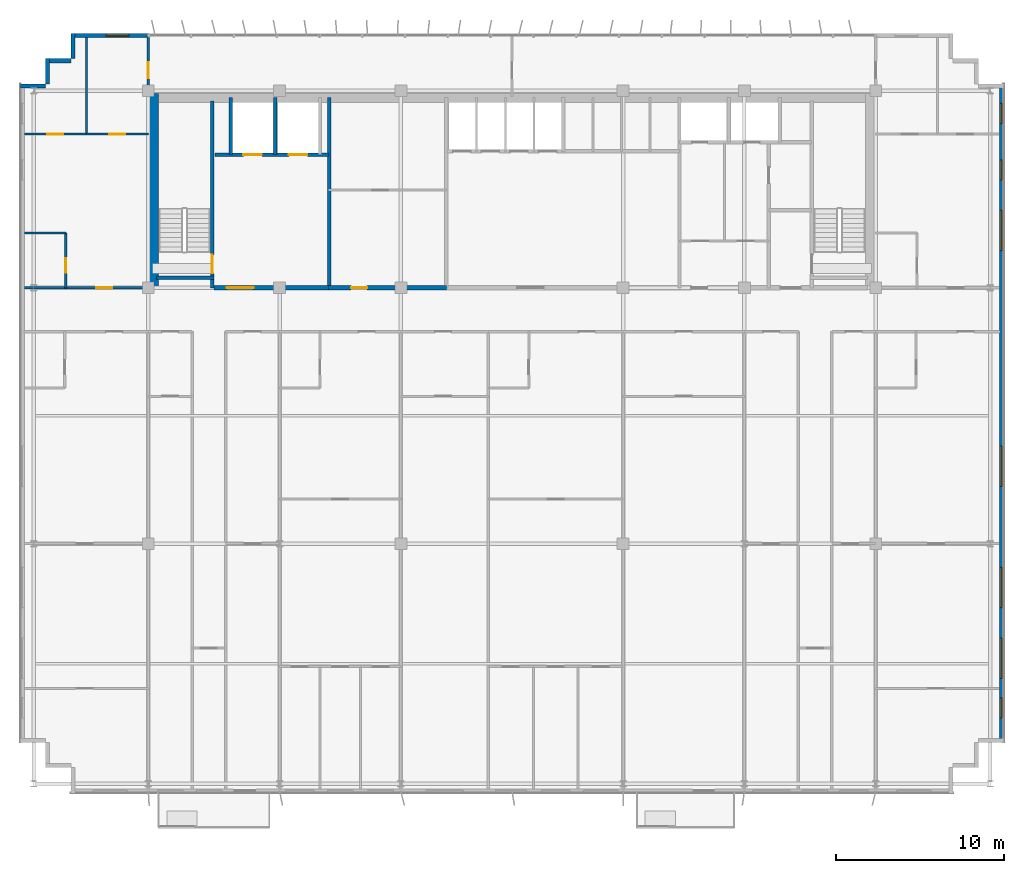
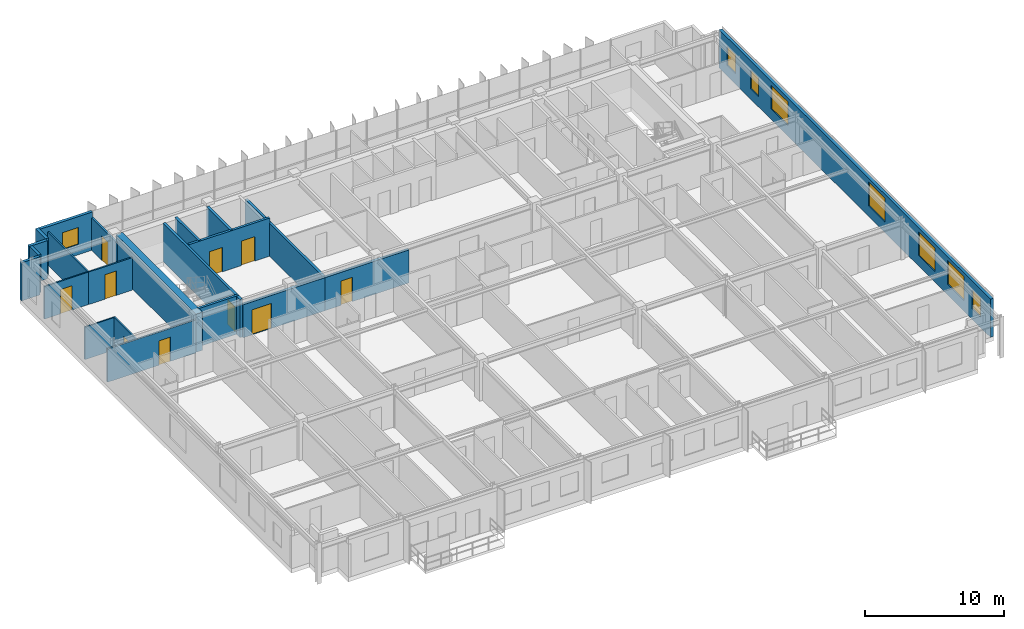
# One storey, part 19 of 23: 22 walls, 10 doors, 8 windows, 18 openings.
"""IFC4 building model written with IfcOpenShell, lengths in metres."""

from ifc_helpers import new_model, si_unit, direction, frame, frame_2d, origin, place, context, subcontext, project, spatial, rectangle, extrude, source, transform, mapped, material, layer, layer_set, type_object, element, fill, save


model = new_model("IFC4")

# Units and contexts
model_context = context("Model", 3, precision=1e-05, world=origin(), true_north=direction((0.0, 1.0)))
body_context = subcontext(model_context, "Body", "Model", "MODEL_VIEW")
ifc_project = project(units=[si_unit("LENGTHUNIT", "METRE"), si_unit("AREAUNIT", "SQUARE_METRE"), si_unit("VOLUMEUNIT", "CUBIC_METRE"), si_unit("PLANEANGLEUNIT", "RADIAN"), si_unit("MASSUNIT", "GRAM", prefix="KILO")], contexts=[model_context])

# Site, building, storey
site_placement = place(None, origin())
site = spatial("IfcSite", under=ifc_project, at=site_placement, CompositionType="ELEMENT")
building_placement = place(site_placement, origin())
building = spatial("IfcBuilding", under=site, at=building_placement, Name="Trelvane Seafront Commons", CompositionType="ELEMENT")
storey_placement = place(building_placement, frame((0.0, 0.0, 204.89990234375)))
storey = spatial("IfcBuildingStorey", under=building, at=storey_placement, Name="L53", CompositionType="ELEMENT", Elevation=204.89990234375)

# Wall, opening, window
ifc_material_1 = material(Name="Precast concrete C40/50", Category="concrete")
ifc_layer_1 = layer(ifc_material_1, 0.239990234375, Name="ARCH-WALL-EXT240")
ifc_layer_set_1 = layer_set([ifc_layer_1], Name="Precast concrete C40/50")
wall_type_1 = type_object("IfcWallType", Name="ARCH-WALL-EXT240", PredefinedType="SOLIDWALL", material=ifc_layer_set_1)
wall_1_placement = place(storey_placement, frame((11.10009765625, 48.3701171875, 0.0), z_axis=(0.0, 0.0, 1.0), x_axis=(1.0, 0.0, 0.0)))
wall_1 = element("IfcWall", 1, at=wall_1_placement, inside=storey, type_object=wall_type_1, Name="EW-L53-NW-1057", PredefinedType="SOLIDWALL", context=body_context, shape_type="SweptSolid", body=[
    extrude(rectangle(XDim=4.5, YDim=0.239990234375, at=frame_2d((2.25, 0.0))), origin(), (0.0, 0.0, 1.0), 3.360107421875),
])
opening_1_placement = place(wall_1_placement, frame((2.0029296875, 0.0, 0.89990234375)))
opening_1 = element("IfcOpeningElement", 2, at=opening_1_placement, cuts=wall_1, Name="Opening W09", PredefinedType="OPENING", context=body_context, shape_type="SweptSolid", body=[
    extrude(rectangle(XDim=1.35009765625, YDim=1.5, at=frame_2d((0.675048828125, 0.75))), frame((0.0, 0.1298828125, 0.0), z_axis=(0.0, -1.0, 0.0), x_axis=(1.0, 0.0, 0.0)), (0.0, 0.0, 1.0), 0.260009765625),
])
ifc_material_2 = material(Name="Low-E coastal double glazing", Category="glass")
window_type_1 = type_object("IfcWindowType", Name="ARCH-WIN-W09", PartitioningType="SINGLE_PANEL", PredefinedType="WINDOW", material=ifc_material_2)
shared_shape_1 = source(origin(), body_context, "Body", "SweptSolid", [
    extrude(rectangle(XDim=1.35009765625, YDim=1.5, at=frame_2d((0.675048828125, 0.75))), frame((0.0, 0.030029296875, 0.0), z_axis=(0.0, -1.0, 0.0), x_axis=(1.0, 0.0, 0.0)), (0.0, 0.0, 1.0), 0.06005859375),
])
window_1_placement = place(opening_1_placement, origin())
window_1 = element("IfcWindow", 3, at=window_1_placement, inside=storey, type_object=window_type_1, Name="WIN-L53-01271", OverallHeight=1.5, OverallWidth=1.35009765625, PartitioningType="SINGLE_PANEL", PredefinedType="WINDOW", context=body_context, shape_type="MappedRepresentation", body=[
    mapped(shared_shape_1, transform((0.0, 0.0, 0.0), x_axis=(1.0, 0.0, 0.0), y_axis=(0.0, 1.0, 0.0), z_axis=(0.0, 0.0, 1.0), scale=1.0)),
])
fill(opening_1, window_1)

# Walls
for number, where, z_axis, x_axis, name in (
    (4, (8.0, 45.3798828125, 0.0), (0.0, 0.0, 1.0), (1.0, 0.0, 0.0), "EW-L53-01063"),
    (5, (9.6201171875, 45.5, 0.0), (0.0, 0.0, 1.0), (0.0, 1.0, 0.0), "EW-L53-01064"),
    (6, (9.5, 46.8798828125, 0.0), (0.0, 0.0, 1.0), (1.0, 0.0, 0.0), "EW-L53-01065"),
    (7, (11.1201171875, 47.0, 0.0), (0.0, 0.0, 1.0), (0.0, 1.0, 0.0), "EW-L53-01066"),
):
    element("IfcWall", number, at=place(storey_placement, frame(where, z_axis=z_axis, x_axis=x_axis)), inside=storey, type_object=wall_type_1, Name=name, PredefinedType="SOLIDWALL", context=body_context, shape_type="SweptSolid", body=[
        extrude(rectangle(XDim=1.5, YDim=0.239990234375, at=frame_2d((0.75, 0.0))), origin(), (0.0, 0.0, 1.0), 3.360107421875),
    ])

# Wall, openings, windows
wall_2_placement = place(storey_placement, frame((66.280029296875, 45.5, 0.0), z_axis=(0.0, 0.0, 1.0), x_axis=(0.0, -1.0, 0.0)))
wall_2 = element("IfcWall", 8, at=wall_2_placement, inside=storey, type_object=wall_type_1, Name="EW-L53-01071", PredefinedType="SOLIDWALL", context=body_context, shape_type="SweptSolid", body=[
    extrude(rectangle(XDim=39.10009765625, YDim=0.239990234375, at=frame_2d((19.550048828125, 0.0))), origin(), (0.0, 0.0, 1.0), 3.360107421875),
])
opening_2_placement = place(wall_2_placement, frame((36.449951171875, 0.0, 0.919921875)))
opening_2 = element("IfcOpeningElement", 9, at=opening_2_placement, cuts=wall_2, Name="Opening W05", PredefinedType="OPENING", context=body_context, shape_type="SweptSolid", body=[
    extrude(rectangle(XDim=1.199951171875, YDim=1.64990234375, at=frame_2d((0.60009765625, 0.824951171875))), frame((0.0, 0.1298828125, 0.0), z_axis=(0.0, -1.0, 0.0), x_axis=(1.0, 0.0, 0.0)), (0.0, 0.0, 1.0), 0.260009765625),
])
opening_3_placement = place(wall_2_placement, frame((32.89990234375, 0.0, 0.919921875)))
opening_3 = element("IfcOpeningElement", 10, at=opening_3_placement, cuts=wall_2, Name="Opening W08", PredefinedType="OPENING", context=body_context, shape_type="SweptSolid", body=[
    extrude(rectangle(XDim=2.39990234375, YDim=2.10009765625, at=frame_2d((1.199951171875, 1.050048828125))), frame((0.0, 0.1298828125, 0.0), z_axis=(0.0, -1.0, 0.0), x_axis=(1.0, 0.0, 0.0)), (0.0, 0.0, 1.0), 0.260009765625),
])
opening_4_placement = place(wall_2_placement, frame((28.699951171875, 0.0, 0.919921875)))
opening_4 = element("IfcOpeningElement", 11, at=opening_4_placement, cuts=wall_2, Name="Opening W08", PredefinedType="OPENING", context=body_context, shape_type="SweptSolid", body=[
    extrude(rectangle(XDim=2.39990234375, YDim=2.10009765625, at=frame_2d((1.199951171875, 1.050048828125))), frame((0.0, 0.1298828125, 0.0), z_axis=(0.0, -1.0, 0.0), x_axis=(1.0, 0.0, 0.0)), (0.0, 0.0, 1.0), 0.260009765625),
])
opening_5_placement = place(wall_2_placement, frame((21.5, 0.0, 0.919921875)))
opening_5 = element("IfcOpeningElement", 12, at=opening_5_placement, cuts=wall_2, Name="Opening W08", PredefinedType="OPENING", context=body_context, shape_type="SweptSolid", body=[
    extrude(rectangle(XDim=2.39990234375, YDim=2.10009765625, at=frame_2d((1.199951171875, 1.050048828125))), frame((0.0, 0.1298828125, 0.0), z_axis=(0.0, -1.0, 0.0), x_axis=(1.0, 0.0, 0.0)), (0.0, 0.0, 1.0), 0.260009765625),
])
opening_6_placement = place(wall_2_placement, frame((7.5, 0.0, 0.919921875)))
opening_6 = element("IfcOpeningElement", 13, at=opening_6_placement, cuts=wall_2, Name="Opening W08", PredefinedType="OPENING", context=body_context, shape_type="SweptSolid", body=[
    extrude(rectangle(XDim=2.39990234375, YDim=2.10009765625, at=frame_2d((1.199951171875, 1.050048828125))), frame((0.0, 0.1298828125, 0.0), z_axis=(0.0, -1.0, 0.0), x_axis=(1.0, 0.0, 0.0)), (0.0, 0.0, 1.0), 0.260009765625),
])
opening_7_placement = place(wall_2_placement, frame((4.5, 0.0, 0.919921875)))
opening_7 = element("IfcOpeningElement", 14, at=opening_7_placement, cuts=wall_2, Name="Opening W05", PredefinedType="OPENING", context=body_context, shape_type="SweptSolid", body=[
    extrude(rectangle(XDim=1.199951171875, YDim=1.64990234375, at=frame_2d((0.60009765625, 0.824951171875))), frame((0.0, 0.1298828125, 0.0), z_axis=(0.0, -1.0, 0.0), x_axis=(1.0, 0.0, 0.0)), (0.0, 0.0, 1.0), 0.260009765625),
])
opening_8_placement = place(wall_2_placement, frame((1.14990234375, 0.0, 0.919921875)))
opening_8 = element("IfcOpeningElement", 15, at=opening_8_placement, cuts=wall_2, Name="Opening W05", PredefinedType="OPENING", context=body_context, shape_type="SweptSolid", body=[
    extrude(rectangle(XDim=1.199951171875, YDim=1.64990234375, at=frame_2d((0.60009765625, 0.824951171875))), frame((0.0, 0.1298828125, 0.0), z_axis=(0.0, -1.0, 0.0), x_axis=(1.0, 0.0, 0.0)), (0.0, 0.0, 1.0), 0.260009765625),
])
window_type_2 = type_object("IfcWindowType", Name="ARCH-WIN-W08", PartitioningType="SINGLE_PANEL", PredefinedType="WINDOW", material=ifc_material_2)
shared_shape_2 = source(origin(), body_context, "Body", "SweptSolid", [
    extrude(rectangle(XDim=2.39990234375, YDim=2.10009765625, at=frame_2d((1.199951171875, 1.050048828125))), frame((0.0, 0.030029296875, 0.0), z_axis=(0.0, -1.0, 0.0), x_axis=(1.0, 0.0, 0.0)), (0.0, 0.0, 1.0), 0.06005859375),
])
window_2_placement = place(opening_3_placement, origin())
window_2 = element("IfcWindow", 16, at=window_2_placement, inside=storey, type_object=window_type_2, Name="WIN-L53-EW-01280", OverallHeight=2.10009765625, OverallWidth=2.39990234375, PartitioningType="SINGLE_PANEL", PredefinedType="WINDOW", context=body_context, shape_type="MappedRepresentation", body=[
    mapped(shared_shape_2, transform((0.0, 0.0, 0.0), x_axis=(1.0, 0.0, 0.0), y_axis=(0.0, 1.0, 0.0), z_axis=(0.0, 0.0, 1.0), scale=1.0)),
])
fill(opening_3, window_2)
window_3_placement = place(opening_4_placement, origin())
window_3 = element("IfcWindow", 17, at=window_3_placement, inside=storey, type_object=window_type_2, Name="WIN-L53-EW-01281", OverallHeight=2.10009765625, OverallWidth=2.39990234375, PartitioningType="SINGLE_PANEL", PredefinedType="WINDOW", context=body_context, shape_type="MappedRepresentation", body=[
    mapped(shared_shape_2, transform((0.0, 0.0, 0.0), x_axis=(1.0, 0.0, 0.0), y_axis=(0.0, 1.0, 0.0), z_axis=(0.0, 0.0, 1.0), scale=1.0)),
])
fill(opening_4, window_3)
window_4_placement = place(opening_5_placement, origin())
window_4 = element("IfcWindow", 18, at=window_4_placement, inside=storey, type_object=window_type_2, Name="WIN-L53-EW-01282", OverallHeight=2.10009765625, OverallWidth=2.39990234375, PartitioningType="SINGLE_PANEL", PredefinedType="WINDOW", context=body_context, shape_type="MappedRepresentation", body=[
    mapped(shared_shape_2, transform((0.0, 0.0, 0.0), x_axis=(1.0, 0.0, 0.0), y_axis=(0.0, 1.0, 0.0), z_axis=(0.0, 0.0, 1.0), scale=1.0)),
])
fill(opening_5, window_4)
window_5_placement = place(opening_6_placement, origin())
window_5 = element("IfcWindow", 19, at=window_5_placement, inside=storey, type_object=window_type_2, Name="WIN-L53-EW-01283", OverallHeight=2.10009765625, OverallWidth=2.39990234375, PartitioningType="SINGLE_PANEL", PredefinedType="WINDOW", context=body_context, shape_type="MappedRepresentation", body=[
    mapped(shared_shape_2, transform((0.0, 0.0, 0.0), x_axis=(1.0, 0.0, 0.0), y_axis=(0.0, 1.0, 0.0), z_axis=(0.0, 0.0, 1.0), scale=1.0)),
])
fill(opening_6, window_5)
window_type_3 = type_object("IfcWindowType", Name="ARCH-WIN-W05", PartitioningType="SINGLE_PANEL", PredefinedType="WINDOW", material=ifc_material_2)
shared_shape_3 = source(origin(), body_context, "Body", "SweptSolid", [
    extrude(rectangle(XDim=1.199951171875, YDim=1.64990234375, at=frame_2d((0.60009765625, 0.824951171875))), frame((0.0, 0.030029296875, 0.0), z_axis=(0.0, -1.0, 0.0), x_axis=(1.0, 0.0, 0.0)), (0.0, 0.0, 1.0), 0.06005859375),
])
window_6_placement = place(opening_2_placement, origin())
window_6 = element("IfcWindow", 20, at=window_6_placement, inside=storey, type_object=window_type_3, Name="WIN-L53-EW-01279", OverallHeight=1.64990234375, OverallWidth=1.199951171875, PartitioningType="SINGLE_PANEL", PredefinedType="WINDOW", context=body_context, shape_type="MappedRepresentation", body=[
    mapped(shared_shape_3, transform((0.0, 0.0, 0.0), x_axis=(1.0, 0.0, 0.0), y_axis=(0.0, 1.0, 0.0), z_axis=(0.0, 0.0, 1.0), scale=1.0)),
])
fill(opening_2, window_6)
window_7_placement = place(opening_7_placement, origin())
window_7 = element("IfcWindow", 21, at=window_7_placement, inside=storey, type_object=window_type_3, Name="WIN-L53-EW-01284", OverallHeight=1.64990234375, OverallWidth=1.199951171875, PartitioningType="SINGLE_PANEL", PredefinedType="WINDOW", context=body_context, shape_type="MappedRepresentation", body=[
    mapped(shared_shape_3, transform((0.0, 0.0, 0.0), x_axis=(1.0, 0.0, 0.0), y_axis=(0.0, 1.0, 0.0), z_axis=(0.0, 0.0, 1.0), scale=1.0)),
])
fill(opening_7, window_7)
window_8_placement = place(opening_8_placement, origin())
window_8 = element("IfcWindow", 22, at=window_8_placement, inside=storey, type_object=window_type_3, Name="WIN-L53-EW-01285", OverallHeight=1.64990234375, OverallWidth=1.199951171875, PartitioningType="SINGLE_PANEL", PredefinedType="WINDOW", context=body_context, shape_type="MappedRepresentation", body=[
    mapped(shared_shape_3, transform((0.0, 0.0, 0.0), x_axis=(1.0, 0.0, 0.0), y_axis=(0.0, 1.0, 0.0), z_axis=(0.0, 0.0, 1.0), scale=1.0)),
])
fill(opening_8, window_8)

# Wall, opening, door
ifc_material_3 = material(Name="Concrete C40/50", Category="concrete")
ifc_layer_2 = layer(ifc_material_3, 0.25, Name="ARCH-WALL-FIRE250")
ifc_layer_set_2 = layer_set([ifc_layer_2], Name="Concrete C40/50")
wall_type_2 = type_object("IfcWallType", Name="ARCH-WALL-FIRE250", PredefinedType="PARTITIONING", material=ifc_layer_set_2)
wall_3_placement = place(storey_placement, frame((19.5, 33.39990234375, 0.0), z_axis=(0.0, 0.0, 1.0), x_axis=(1.0, 0.0, 0.0)))
wall_3 = element("IfcWall", 23, at=wall_3_placement, inside=storey, type_object=wall_type_2, Name="W-L53-CS-FFL-013", PredefinedType="PARTITIONING", context=body_context, shape_type="SweptSolid", body=[
    extrude(rectangle(XDim=6.800048828125, YDim=0.25, at=frame_2d((3.39990234375, 0.0))), origin(), (0.0, 0.0, 1.0), 2.91015625),
])
opening_9_placement = place(wall_3_placement, frame((0.75, 0.0, 0.0)))
opening_9 = element("IfcOpeningElement", 24, at=opening_9_placement, cuts=wall_3, Name="Opening FD-L53-05", PredefinedType="OPENING", context=body_context, shape_type="SweptSolid", body=[
    extrude(rectangle(XDim=1.60009765625, YDim=2.199951171875, at=frame_2d((0.800048828125, 1.10009765625))), frame((0.0, 0.135009765625, 0.0), z_axis=(0.0, -1.0, 0.0), x_axis=(1.0, 0.0, 0.0)), (0.0, 0.0, 1.0), 0.27001953125),
])
ifc_material_4 = material(Name="Powder-coated aluminium frame", Category="aluminium")
door_type_1 = type_object("IfcDoorType", Name="ARCH-DR-FD60-1600", OperationType="DOUBLE_DOOR_SINGLE_SWING", PredefinedType="DOOR", material=ifc_material_4)
shared_shape_4 = source(origin(), body_context, "Body", "SweptSolid", [
    extrude(rectangle(XDim=1.60009765625, YDim=2.199951171875, at=frame_2d((0.800048828125, 1.10009765625))), frame((0.0, 0.02490234375, 0.0), z_axis=(0.0, -1.0, 0.0), x_axis=(1.0, 0.0, 0.0)), (0.0, 0.0, 1.0), 0.050048828125),
])
door_1_placement = place(opening_9_placement, origin())
door_1 = element("IfcDoor", 25, at=door_1_placement, inside=storey, type_object=door_type_1, Name="L53 Firefighting Lift Lobby Double Fire Door", OperationType="DOUBLE_DOOR_SINGLE_SWING", OverallHeight=2.199951171875, OverallWidth=1.60009765625, PredefinedType="DOOR", context=body_context, shape_type="MappedRepresentation", body=[
    mapped(shared_shape_4, transform((0.0, 0.0, 0.0), x_axis=(1.0, 0.0, 0.0), y_axis=(0.0, 1.0, 0.0), z_axis=(0.0, 0.0, 1.0), scale=1.0)),
])
fill(opening_9, door_1)

wall_4_placement = place(storey_placement, frame((26.300048828125, 33.39990234375, 0.0), z_axis=(0.0, 0.0, 1.0), x_axis=(1.0, 0.0, 0.0)))
wall_4 = element("IfcWall", 26, at=wall_4_placement, inside=storey, type_object=wall_type_2, Name="W-L53-CS-FPL-026", PredefinedType="PARTITIONING", context=body_context, shape_type="SweptSolid", body=[
    extrude(rectangle(XDim=7.0, YDim=0.25, at=frame_2d((3.5, 0.0))), origin(), (0.0, 0.0, 1.0), 2.91015625),
])
opening_10_placement = place(wall_4_placement, frame((1.35009765625, 0.0, 0.0)))
opening_10 = element("IfcOpeningElement", 27, at=opening_10_placement, cuts=wall_4, Name="Opening D-L53-11", PredefinedType="OPENING", context=body_context, shape_type="SweptSolid", body=[
    extrude(rectangle(XDim=0.949951171875, YDim=2.14990234375, at=frame_2d((0.47509765625, 1.074951171875))), frame((0.0, 0.135009765625, 0.0), z_axis=(0.0, -1.0, 0.0), x_axis=(1.0, 0.0, 0.0)), (0.0, 0.0, 1.0), 0.27001953125),
])
ifc_material_5 = material(Name="Acoustic timber door leaf", Category="wood")
door_type_2 = type_object("IfcDoorType", Name="ARCH-DR-INT950", OperationType="NOTDEFINED", PredefinedType="DOOR", material=ifc_material_5)
shared_shape_5 = source(origin(), body_context, "Body", "SweptSolid", [
    extrude(rectangle(XDim=0.949951171875, YDim=2.14990234375, at=frame_2d((0.47509765625, 1.074951171875))), frame((0.0, 0.02490234375, 0.0), z_axis=(0.0, -1.0, 0.0), x_axis=(1.0, 0.0, 0.0)), (0.0, 0.0, 1.0), 0.050048828125),
])
door_2_placement = place(opening_10_placement, origin())
door_2 = element("IfcDoor", 28, at=door_2_placement, inside=storey, type_object=door_type_2, Name="L53 Floor Pantry Entrance Door", OperationType="SINGLE_SWING_LEFT", OverallHeight=2.14990234375, OverallWidth=0.949951171875, PredefinedType="DOOR", context=body_context, shape_type="MappedRepresentation", body=[
    mapped(shared_shape_5, transform((0.0, 0.0, 0.0), x_axis=(1.0, 0.0, 0.0), y_axis=(0.0, 1.0, 0.0), z_axis=(0.0, 0.0, 1.0), scale=1.0)),
])
fill(opening_10, door_2)

ifc_material_6 = material(Name="Gypsum Drywall Acoustic Partition")
ifc_layer_3 = layer(ifc_material_6, 0.1201171875, Name="ARCH-WALL-PART120")
ifc_layer_set_3 = layer_set([ifc_layer_3], Name="Gypsum Drywall Acoustic Partition")
wall_type_3 = type_object("IfcWallType", Name="ARCH-WALL-PART120", PredefinedType="PARTITIONING", material=ifc_layer_set_3)
wall_5_placement = place(storey_placement, frame((10.699951171875, 33.39990234375, 0.0), z_axis=(0.0, 0.0, 1.0), x_axis=(0.0, 1.0, 0.0)))
wall_5 = element("IfcWall", 29, at=wall_5_placement, inside=storey, type_object=wall_type_3, Name="W-L53-NW-BE-036", PredefinedType="PARTITIONING", context=body_context, shape_type="SweptSolid", body=[
    extrude(rectangle(XDim=3.25, YDim=0.1201171875, at=frame_2d((1.625, 0.0))), origin(), (0.0, 0.0, 1.0), 2.91015625),
])
opening_11_placement = place(wall_5_placement, frame((0.89990234375, 0.0, 0.0)))
opening_11 = element("IfcOpeningElement", 30, at=opening_11_placement, cuts=wall_5, Name="Opening D-L53-20", PredefinedType="OPENING", context=body_context, shape_type="SweptSolid", body=[
    extrude(rectangle(XDim=0.85009765625, YDim=2.10009765625, at=frame_2d((0.425048828125, 1.050048828125))), frame((0.0, 0.070068359375, 0.0), z_axis=(0.0, -1.0, 0.0), x_axis=(1.0, 0.0, 0.0)), (0.0, 0.0, 1.0), 0.14013671875),
])
door_type_3 = type_object("IfcDoorType", Name="ARCH-DR-INT850", OperationType="NOTDEFINED", PredefinedType="DOOR", material=ifc_material_5)
shared_shape_6 = source(origin(), body_context, "Body", "SweptSolid", [
    extrude(rectangle(XDim=0.85009765625, YDim=2.10009765625, at=frame_2d((0.425048828125, 1.050048828125))), frame((0.0, 0.02490234375, 0.0), z_axis=(0.0, -1.0, 0.0), x_axis=(1.0, 0.0, 0.0)), (0.0, 0.0, 1.0), 0.050048828125),
])
door_3_placement = place(opening_11_placement, origin())
door_3 = element("IfcDoor", 31, at=door_3_placement, inside=storey, type_object=door_type_3, Name="L53 Door 20", OperationType="SINGLE_SWING_RIGHT", OverallHeight=2.10009765625, OverallWidth=0.85009765625, PredefinedType="DOOR", context=body_context, shape_type="MappedRepresentation", body=[
    mapped(shared_shape_6, transform((0.0, 0.0, 0.0), x_axis=(1.0, 0.0, 0.0), y_axis=(0.0, 1.0, 0.0), z_axis=(0.0, 0.0, 1.0), scale=1.0)),
])
fill(opening_11, door_3)

# Wall
wall_6_placement = place(storey_placement, frame((8.25, 36.64990234375, 0.0), z_axis=(0.0, 0.0, 1.0), x_axis=(1.0, 0.0, 0.0)))
element("IfcWall", 32, at=wall_6_placement, inside=storey, type_object=wall_type_3, Name="W-L53-NW-BN-037", PredefinedType="PARTITIONING", context=body_context, shape_type="SweptSolid", body=[
    extrude(rectangle(XDim=2.449951171875, YDim=0.1201171875, at=frame_2d((1.22509765625, 0.0))), origin(), (0.0, 0.0, 1.0), 2.860107421875),
])

# Wall, opening, door
wall_7_placement = place(storey_placement, frame((8.25, 42.52001953125, 0.0), z_axis=(0.0, 0.0, 1.0), x_axis=(1.0, 0.0, 0.0)))
wall_7 = element("IfcWall", 33, at=wall_7_placement, inside=storey, type_object=wall_type_3, Name="W-L53-NW-KB1-038", PredefinedType="PARTITIONING", context=body_context, shape_type="SweptSolid", body=[
    extrude(rectangle(XDim=3.675048828125, YDim=0.1201171875, at=frame_2d((1.83740234375, 0.0))), origin(), (0.0, 0.0, 1.0), 2.860107421875),
])
opening_12_placement = place(wall_7_placement, frame((1.363037109375, 0.0, 0.0)))
opening_12 = element("IfcOpeningElement", 34, at=opening_12_placement, cuts=wall_7, Name="Opening D-L53-21", PredefinedType="OPENING", context=body_context, shape_type="SweptSolid", body=[
    extrude(rectangle(XDim=0.949951171875, YDim=2.14990234375, at=frame_2d((0.47509765625, 1.074951171875))), frame((0.0, 0.070068359375, 0.0), z_axis=(0.0, -1.0, 0.0), x_axis=(1.0, 0.0, 0.0)), (0.0, 0.0, 1.0), 0.14013671875),
])
door_4_placement = place(opening_12_placement, origin())
door_4 = element("IfcDoor", 35, at=door_4_placement, inside=storey, type_object=door_type_2, Name="L53 Door 21", OperationType="SINGLE_SWING_LEFT", OverallHeight=2.14990234375, OverallWidth=0.949951171875, PredefinedType="DOOR", context=body_context, shape_type="MappedRepresentation", body=[
    mapped(shared_shape_5, transform((0.0, 0.0, 0.0), x_axis=(1.0, 0.0, 0.0), y_axis=(0.0, 1.0, 0.0), z_axis=(0.0, 0.0, 1.0), scale=1.0)),
])
fill(opening_12, door_4)

wall_8_placement = place(storey_placement, frame((11.925048828125, 42.52001953125, 0.0), z_axis=(0.0, 0.0, 1.0), x_axis=(1.0, 0.0, 0.0)))
wall_8 = element("IfcWall", 36, at=wall_8_placement, inside=storey, type_object=wall_type_3, Name="W-L53-NW-KB2-039", PredefinedType="PARTITIONING", context=body_context, shape_type="SweptSolid", body=[
    extrude(rectangle(XDim=3.675048828125, YDim=0.1201171875, at=frame_2d((1.83740234375, 0.0))), origin(), (0.0, 0.0, 1.0), 2.860107421875),
])
opening_13_placement = place(wall_8_placement, frame((1.362060546875, 0.0, 0.0)))
opening_13 = element("IfcOpeningElement", 37, at=opening_13_placement, cuts=wall_8, Name="Opening D-L53-22", PredefinedType="OPENING", context=body_context, shape_type="SweptSolid", body=[
    extrude(rectangle(XDim=0.949951171875, YDim=2.14990234375, at=frame_2d((0.47509765625, 1.074951171875))), frame((0.0, 0.070068359375, 0.0), z_axis=(0.0, -1.0, 0.0), x_axis=(1.0, 0.0, 0.0)), (0.0, 0.0, 1.0), 0.14013671875),
])
door_5_placement = place(opening_13_placement, origin())
door_5 = element("IfcDoor", 38, at=door_5_placement, inside=storey, type_object=door_type_2, Name="L53 Door 22", OperationType="SINGLE_SWING_RIGHT", OverallHeight=2.14990234375, OverallWidth=0.949951171875, PredefinedType="DOOR", context=body_context, shape_type="MappedRepresentation", body=[
    mapped(shared_shape_5, transform((0.0, 0.0, 0.0), x_axis=(1.0, 0.0, 0.0), y_axis=(0.0, 1.0, 0.0), z_axis=(0.0, 0.0, 1.0), scale=1.0)),
])
fill(opening_13, door_5)

# Wall
wall_9_placement = place(storey_placement, frame((11.925048828125, 42.52001953125, 0.0), z_axis=(0.0, 0.0, 1.0), x_axis=(0.0, 1.0, 0.0)))
element("IfcWall", 39, at=wall_9_placement, inside=storey, type_object=wall_type_3, Name="W-L53-NW-KBDV-040", PredefinedType="PARTITIONING", context=body_context, shape_type="SweptSolid", body=[
    extrude(rectangle(XDim=5.739990234375, YDim=0.1201171875, at=frame_2d((2.8701171875, 0.0))), origin(), (0.0, 0.0, 1.0), 2.91015625),
])

# Wall, opening, door
ifc_layer_4 = layer(ifc_material_6, 0.14990234375, Name="ARCH-WALL-PART150")
ifc_layer_set_4 = layer_set([ifc_layer_4], Name="Gypsum Drywall Acoustic Partition")
wall_type_4 = type_object("IfcWallType", Name="ARCH-WALL-PART150", PredefinedType="PARTITIONING", material=ifc_layer_set_4)
wall_10_placement = place(storey_placement, frame((8.25, 33.39990234375, 0.0), z_axis=(0.0, 0.0, 1.0), x_axis=(1.0, 0.0, 0.0)))
wall_10 = element("IfcWall", 40, at=wall_10_placement, inside=storey, type_object=wall_type_4, Name="W-L53-NW-ENT-041", PredefinedType="PARTITIONING", context=body_context, shape_type="SweptSolid", body=[
    extrude(rectangle(XDim=7.35009765625, YDim=0.14990234375, at=frame_2d((3.675048828125, 0.0))), origin(), (0.0, 0.0, 1.0), 2.91015625),
])
opening_14_placement = place(wall_10_placement, frame((4.27490234375, 0.0, 0.0)))
opening_14 = element("IfcOpeningElement", 41, at=opening_14_placement, cuts=wall_10, Name="Opening FD-L53-23", PredefinedType="OPENING", context=body_context, shape_type="SweptSolid", body=[
    extrude(rectangle(XDim=0.949951171875, YDim=2.14990234375, at=frame_2d((0.47509765625, 1.074951171875))), frame((0.0, 0.0849609375, 0.0), z_axis=(0.0, -1.0, 0.0), x_axis=(1.0, 0.0, 0.0)), (0.0, 0.0, 1.0), 0.169921875),
])
door_type_4 = type_object("IfcDoorType", Name="ARCH-DR-FD60-950", OperationType="NOTDEFINED", PredefinedType="DOOR", material=ifc_material_4)
door_6_placement = place(opening_14_placement, origin())
door_6 = element("IfcDoor", 42, at=door_6_placement, inside=storey, type_object=door_type_4, Name="L53 NW Flat Entrance Door", OperationType="SINGLE_SWING_LEFT", OverallHeight=2.14990234375, OverallWidth=0.949951171875, PredefinedType="DOOR", context=body_context, shape_type="MappedRepresentation", body=[
    mapped(shared_shape_5, transform((0.0, 0.0, 0.0), x_axis=(1.0, 0.0, 0.0), y_axis=(0.0, 1.0, 0.0), z_axis=(0.0, 0.0, 1.0), scale=1.0)),
])
fill(opening_14, door_6)

wall_11_placement = place(storey_placement, frame((15.60009765625, 44.75, 0.0), z_axis=(0.0, 0.0, 1.0), x_axis=(0.0, 1.0, 0.0)))
wall_11 = element("IfcWall", 43, at=wall_11_placement, inside=storey, type_object=wall_type_4, Name="W-L53-N-LINK-W-049", PredefinedType="PARTITIONING", context=body_context, shape_type="SweptSolid", body=[
    extrude(rectangle(XDim=3.610107421875, YDim=0.14990234375, at=frame_2d((1.80517578125, 0.0))), origin(), (0.0, 0.0, 1.0), 2.860107421875),
])
opening_15_placement = place(wall_11_placement, frame((1.10009765625, 0.0, 0.0)))
opening_15 = element("IfcOpeningElement", 44, at=opening_15_placement, cuts=wall_11, Name="Opening FD-L53-29", PredefinedType="OPENING", context=body_context, shape_type="SweptSolid", body=[
    extrude(rectangle(XDim=0.949951171875, YDim=2.14990234375, at=frame_2d((0.47509765625, 1.074951171875))), frame((0.0, 0.0849609375, 0.0), z_axis=(0.0, -1.0, 0.0), x_axis=(1.0, 0.0, 0.0)), (0.0, 0.0, 1.0), 0.169921875),
])
door_7_placement = place(opening_15_placement, origin())
door_7 = element("IfcDoor", 45, at=door_7_placement, inside=storey, type_object=door_type_4, Name="L53 Door 29", OperationType="SINGLE_SWING_LEFT", OverallHeight=2.14990234375, OverallWidth=0.949951171875, PredefinedType="DOOR", context=body_context, shape_type="MappedRepresentation", body=[
    mapped(shared_shape_5, transform((0.0, 0.0, 0.0), x_axis=(1.0, 0.0, 0.0), y_axis=(0.0, 1.0, 0.0), z_axis=(0.0, 0.0, 1.0), scale=1.0)),
])
fill(opening_15, door_7)

# Wall, openings, doors
ifc_layer_5 = layer(ifc_material_3, 0.199951171875, Name="ARCH-WALL-SHAFT200")
ifc_layer_set_5 = layer_set([ifc_layer_5], Name="Concrete C40/50")
wall_type_5 = type_object("IfcWallType", Name="ARCH-WALL-SHAFT200", PredefinedType="SOLIDWALL", material=ifc_layer_set_5)
wall_12_placement = place(storey_placement, frame((19.550048828125, 41.300048828125, 0.0), z_axis=(0.0, 0.0, 1.0), x_axis=(1.0, 0.0, 0.0)))
wall_12 = element("IfcWall", 46, at=wall_12_placement, inside=storey, type_object=wall_type_5, Name="W-L53-FFL-FRONT-008", PredefinedType="SOLIDWALL", context=body_context, shape_type="SweptSolid", body=[
    extrude(rectangle(XDim=6.75, YDim=0.199951171875, at=frame_2d((3.375, 0.0))), origin(), (0.0, 0.0, 1.0), 3.360107421875),
])
opening_16_placement = place(wall_12_placement, frame((1.699951171875, 0.0, 0.0)))
opening_16 = element("IfcOpeningElement", 47, at=opening_16_placement, cuts=wall_12, Name="Opening LD-FF1-L53", PredefinedType="OPENING", context=body_context, shape_type="SweptSolid", body=[
    extrude(rectangle(XDim=1.10009765625, YDim=2.14990234375, at=frame_2d((0.550048828125, 1.074951171875))), frame((0.0, 0.10986328125, 0.0), z_axis=(0.0, -1.0, 0.0), x_axis=(1.0, 0.0, 0.0)), (0.0, 0.0, 1.0), 0.219970703125),
])
opening_17_placement = place(wall_12_placement, frame((4.39990234375, 0.0, 0.0)))
opening_17 = element("IfcOpeningElement", 48, at=opening_17_placement, cuts=wall_12, Name="Opening LD-FF2-L53", PredefinedType="OPENING", context=body_context, shape_type="SweptSolid", body=[
    extrude(rectangle(XDim=1.10009765625, YDim=2.14990234375, at=frame_2d((0.550048828125, 1.074951171875))), frame((0.0, 0.10986328125, 0.0), z_axis=(0.0, -1.0, 0.0), x_axis=(1.0, 0.0, 0.0)), (0.0, 0.0, 1.0), 0.219970703125),
])
ifc_material_7 = material(Name="Stainless steel balustrade", Category="steel")
door_type_5 = type_object("IfcDoorType", Name="ARCH-DR-LD1100", OperationType="DOUBLE_DOOR_SLIDING", PredefinedType="DOOR", material=ifc_material_7)
shared_shape_7 = source(origin(), body_context, "Body", "SweptSolid", [
    extrude(rectangle(XDim=1.10009765625, YDim=2.14990234375, at=frame_2d((0.550048828125, 1.074951171875))), frame((0.0, 0.02490234375, 0.0), z_axis=(0.0, -1.0, 0.0), x_axis=(1.0, 0.0, 0.0)), (0.0, 0.0, 1.0), 0.050048828125),
])
door_8_placement = place(opening_16_placement, origin())
door_8 = element("IfcDoor", 49, at=door_8_placement, inside=storey, type_object=door_type_5, Name="L53 Firefighting Lift FFL-1 Landing Door", OperationType="DOUBLE_DOOR_SLIDING", OverallHeight=2.14990234375, OverallWidth=1.10009765625, PredefinedType="DOOR", context=body_context, shape_type="MappedRepresentation", body=[
    mapped(shared_shape_7, transform((0.0, 0.0, 0.0), x_axis=(1.0, 0.0, 0.0), y_axis=(0.0, 1.0, 0.0), z_axis=(0.0, 0.0, 1.0), scale=1.0)),
])
fill(opening_16, door_8)
door_9_placement = place(opening_17_placement, origin())
door_9 = element("IfcDoor", 50, at=door_9_placement, inside=storey, type_object=door_type_5, Name="L53 Firefighting Lift FFL-2 Landing Door", OperationType="DOUBLE_DOOR_SLIDING", OverallHeight=2.14990234375, OverallWidth=1.10009765625, PredefinedType="DOOR", context=body_context, shape_type="MappedRepresentation", body=[
    mapped(shared_shape_7, transform((0.0, 0.0, 0.0), x_axis=(1.0, 0.0, 0.0), y_axis=(0.0, 1.0, 0.0), z_axis=(0.0, 0.0, 1.0), scale=1.0)),
])
fill(opening_17, door_9)

# Walls
for number, where, z_axis, x_axis, name in (
    (51, (20.5, 41.300048828125, 0.0), (0.0, 0.0, 1.0), (0.0, 1.0, 0.0), "W-L53-FFL-SH-W-009"),
    (52, (23.14990234375, 41.300048828125, 0.0), (0.0, 0.0, 1.0), (0.0, 1.0, 0.0), "W-L53-FFL-DIV-010"),
):
    element("IfcWall", number, at=place(storey_placement, frame(where, z_axis=z_axis, x_axis=x_axis)), inside=storey, type_object=wall_type_5, Name=name, PredefinedType="SOLIDWALL", context=body_context, shape_type="SweptSolid", body=[
        extrude(rectangle(XDim=3.39990234375, YDim=0.199951171875, at=frame_2d((1.699951171875, 0.0))), origin(), (0.0, 0.0, 1.0), 3.360107421875),
    ])
wall_13_placement = place(storey_placement, frame((26.35009765625, 33.39990234375, 0.0), z_axis=(0.0, 0.0, 1.0), x_axis=(0.0, 1.0, 0.0)))
element("IfcWall", 53, at=wall_13_placement, inside=storey, type_object=wall_type_5, Name="W-L53-FFL-EAST-012", PredefinedType="SOLIDWALL", context=body_context, shape_type="SweptSolid", body=[
    extrude(rectangle(XDim=11.300048828125, YDim=0.199951171875, at=frame_2d((5.64990234375, 0.0))), origin(), (0.0, 0.0, 1.0), 2.91015625),
])
ifc_material_8 = material(Name="Concrete C50/60", Category="concrete")
ifc_layer_6 = layer(ifc_material_8, 0.550048828125, Name="STR-WALL-CORE550")
ifc_layer_set_6 = layer_set([ifc_layer_6], Name="Concrete C50/60")
wall_type_6 = type_object("IfcWallType", Name="STR-WALL-CORE550", PredefinedType="SHEAR", material=ifc_layer_set_6)
wall_14_placement = place(storey_placement, frame((15.925048828125, 33.39990234375, 0.0), z_axis=(0.0, 0.0, 1.0), x_axis=(0.0, 1.0, 0.0)))
element("IfcWall", 54, at=wall_14_placement, inside=storey, type_object=wall_type_6, Name="W-L53-CW-END-002", PredefinedType="SHEAR", context=body_context, shape_type="SweptSolid", body=[
    extrude(rectangle(XDim=11.550048828125, YDim=0.550048828125, at=frame_2d((5.77490234375, 0.0))), origin(), (0.0, 0.0, 1.0), 3.360107421875),
])
ifc_layer_7 = layer(ifc_material_8, 0.199951171875, Name="STR-WALL-STAIR200")
ifc_layer_set_7 = layer_set([ifc_layer_7], Name="Concrete C50/60")
wall_type_7 = type_object("IfcWallType", Name="STR-WALL-STAIR200", PredefinedType="SHEAR", material=ifc_layer_set_7)
wall_15_placement = place(storey_placement, frame((16.10009765625, 34.0, 0.0), z_axis=(0.0, 0.0, 1.0), x_axis=(1.0, 0.0, 0.0)))
element("IfcWall", 55, at=wall_15_placement, inside=storey, type_object=wall_type_7, Name="W-L53-ST1-S-004", PredefinedType="SHEAR", context=body_context, shape_type="SweptSolid", body=[
    extrude(rectangle(XDim=3.39990234375, YDim=0.199951171875, at=frame_2d((1.699951171875, 0.0))), origin(), (0.0, 0.0, 1.0), 3.360107421875),
])

# Wall, opening, door
wall_16_placement = place(storey_placement, frame((19.39990234375, 33.39990234375, 0.0), z_axis=(0.0, 0.0, 1.0), x_axis=(0.0, 1.0, 0.0)))
wall_16 = element("IfcWall", 56, at=wall_16_placement, inside=storey, type_object=wall_type_7, Name="W-L53-ST1-E-005", PredefinedType="SHEAR", context=body_context, shape_type="SweptSolid", body=[
    extrude(rectangle(XDim=11.10009765625, YDim=0.199951171875, at=frame_2d((5.550048828125, 0.0))), origin(), (0.0, 0.0, 1.0), 3.360107421875),
])
opening_18_placement = place(wall_16_placement, frame((0.85009765625, 0.0, 0.0)))
opening_18 = element("IfcOpeningElement", 57, at=opening_18_placement, cuts=wall_16, Name="Opening ST-D1-L53", PredefinedType="OPENING", context=body_context, shape_type="SweptSolid", body=[
    extrude(rectangle(XDim=1.10009765625, YDim=2.14990234375, at=frame_2d((0.550048828125, 1.074951171875))), frame((0.0, 0.10986328125, 0.0), z_axis=(0.0, -1.0, 0.0), x_axis=(1.0, 0.0, 0.0)), (0.0, 0.0, 1.0), 0.219970703125),
])
door_type_6 = type_object("IfcDoorType", Name="ARCH-DR-FD90-1100", OperationType="NOTDEFINED", PredefinedType="DOOR", material=ifc_material_4)
door_10_placement = place(opening_18_placement, origin())
door_10 = element("IfcDoor", 58, at=door_10_placement, inside=storey, type_object=door_type_6, Name="L53 Stair ST-1 Lobby Fire Door", OperationType="SINGLE_SWING_LEFT", OverallHeight=2.14990234375, OverallWidth=1.10009765625, PredefinedType="DOOR", context=body_context, shape_type="MappedRepresentation", body=[
    mapped(shared_shape_7, transform((0.0, 0.0, 0.0), x_axis=(1.0, 0.0, 0.0), y_axis=(0.0, 1.0, 0.0), z_axis=(0.0, 0.0, 1.0), scale=1.0)),
])
fill(opening_18, door_10)

save(model, "model.ifc")
